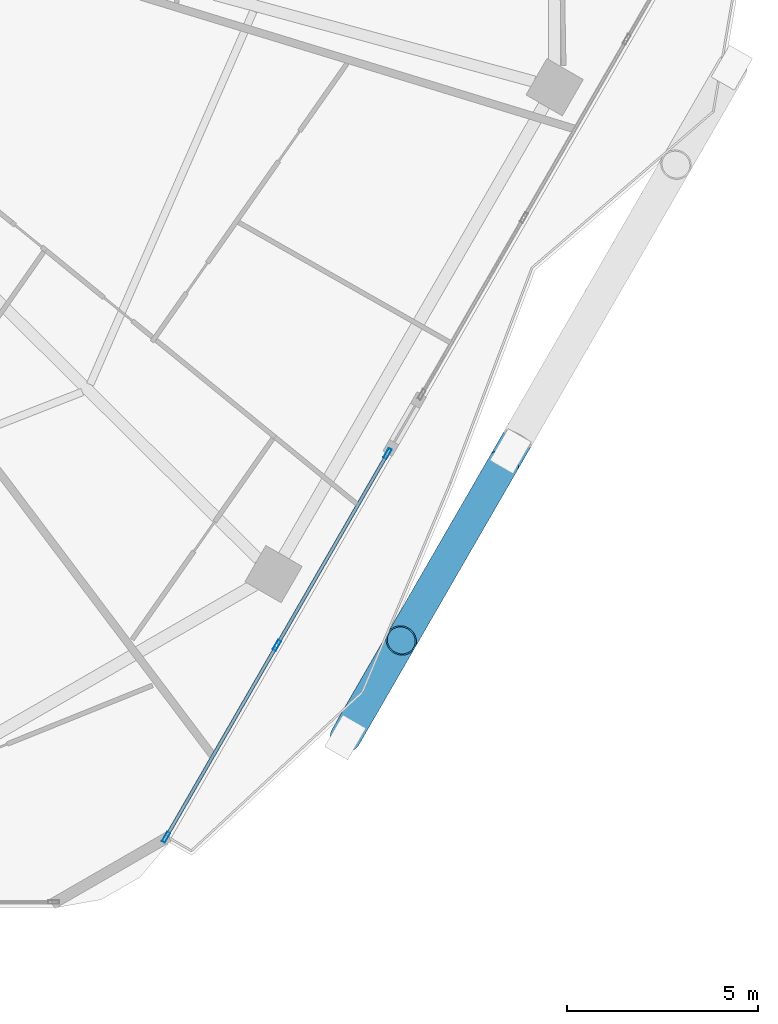
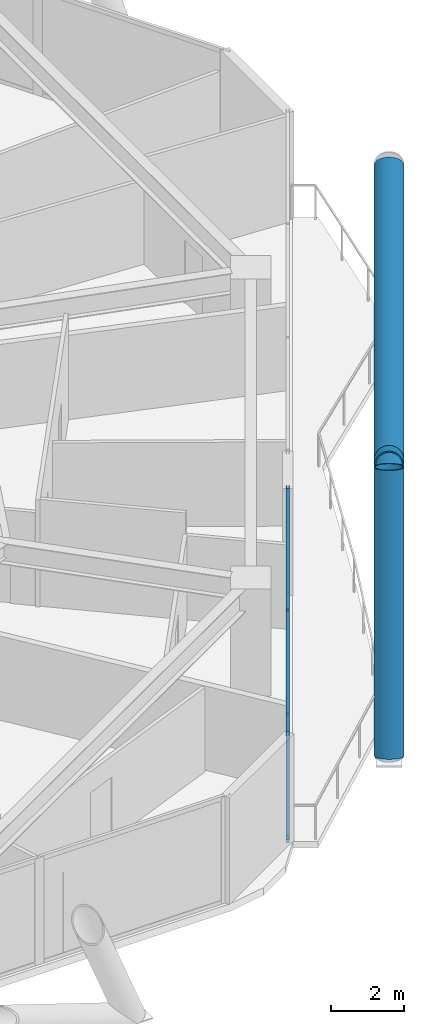
# One storey, part 10 of 36: 10 members, 1 element without a shape of its own.
"""IFC4 building model written with IfcOpenShell, lengths in metres."""

import ifcopenshell
import ifcopenshell.guid

model = None  # the IFC model being written
_history = None  # IfcOwnerHistory: only IFC2X3 demands one
_inside = {}  # id of a spatial element -> (the spatial element, [elements in it])
_under = {}  # id of a project, library or spatial element -> (it, [spatial elements below it])
_declared = {}  # id of a project -> (the project, [libraries it declares])
_typed = {}  # id of a type object -> (the type object, [elements of that type])
_made_of = {}  # id of a material, layer set ... -> (it, [elements and type objects made of it])


def new_model(schema):
    """Start an empty IFC model of exactly this schema.

    Asked for "IFC4X3", IfcOpenShell would pick the latest addendum, in which some entities
    have other attributes; the version numbers below select the first issue.
    IFC2X3 requires an IfcOwnerHistory on every rooted entity: one is made here for all.
    """
    global model, _history
    if schema == "IFC4X3":
        model = ifcopenshell.file(schema_version=(4, 3, 0, 0))
    else:
        model = ifcopenshell.file(schema=schema)
    _inside.clear()
    _under.clear()
    _declared.clear()
    _typed.clear()
    _made_of.clear()
    _history = None
    if model.schema == "IFC2X3":
        org = make("IfcOrganization", Name="unknown")
        user = make(
            "IfcPersonAndOrganization",
            ThePerson=make("IfcPerson", FamilyName="unknown"),
            TheOrganization=org,
        )
        app = make(
            "IfcApplication",
            ApplicationDeveloper=org,
            Version="unknown",
            ApplicationFullName="unknown",
            ApplicationIdentifier="unknown",
        )
        _history = make(
            "IfcOwnerHistory",
            OwningUser=user,
            OwningApplication=app,
            ChangeAction="ADDED",
            CreationDate=0,
        )
    return model


def make(cls, **values):
    """One entity of the class cls with the attributes given. An attribute that is None is left unset."""
    return model.create_entity(
        cls, **{name: value for name, value in values.items() if value is not None}
    )


def rooted(cls, **values):
    """An entity with a GlobalId (a new one), such as an element, a storey or a relation."""
    return make(cls, GlobalId=ifcopenshell.guid.new(), OwnerHistory=_history, **values)


def si_unit(unit_type, name, prefix=None):
    """IfcSIUnit, for example si_unit("LENGTHUNIT", "METRE", prefix="MILLI")."""
    return make("IfcSIUnit", UnitType=unit_type, Prefix=prefix, Name=name)


def assignment(units):
    """IfcUnitAssignment: the units of a project."""
    return None if units is None else make("IfcUnitAssignment", Units=units)


def point(xyz):
    """IfcCartesianPoint."""
    return None if xyz is None else make("IfcCartesianPoint", Coordinates=xyz)


def direction(xyz):
    """IfcDirection."""
    return None if xyz is None else make("IfcDirection", DirectionRatios=xyz)


def frame(location, z_axis=None, x_axis=None):
    """IfcAxis2Placement3D, a coordinate frame: its origin and axes. An axis left out is left unset."""
    return make(
        "IfcAxis2Placement3D",
        Location=point(location),
        Axis=direction(z_axis),
        RefDirection=direction(x_axis),
    )


def frame_2d(location, x_axis=None):
    """IfcAxis2Placement2D, a coordinate frame in the plane: its origin and x axis."""
    return make(
        "IfcAxis2Placement2D", Location=point(location), RefDirection=direction(x_axis)
    )


def origin():
    """The frame at (0, 0, 0) with its axes left unset."""
    return frame((0.0, 0.0, 0.0))


def origin_2d():
    """The frame at (0, 0) in the plane with its x axis left unset."""
    return frame_2d((0.0, 0.0))


def place(relative_to, where):
    """IfcLocalPlacement: puts the frame where relative to a parent placement (None: the world)."""
    return make(
        "IfcLocalPlacement", PlacementRelTo=relative_to, RelativePlacement=where
    )


def context(
    kind, dimensions, precision=None, world=None, true_north=None, identifier=None
):
    """IfcGeometricRepresentationContext, for example the 3D "Model" context."""
    return make(
        "IfcGeometricRepresentationContext",
        ContextIdentifier=identifier,
        ContextType=kind,
        CoordinateSpaceDimension=dimensions,
        Precision=precision,
        WorldCoordinateSystem=world,
        TrueNorth=true_north,
    )


def subcontext(parent, identifier, kind, view, scale=None):
    """IfcGeometricRepresentationSubContext, for example "Body" below "Model"."""
    return make(
        "IfcGeometricRepresentationSubContext",
        ContextIdentifier=identifier,
        ContextType=kind,
        ParentContext=parent,
        TargetScale=scale,
        TargetView=view,
    )


def project(units=None, contexts=None):
    """IfcProject with its units and contexts."""
    return rooted(
        "IfcProject",
        Name="project",
        RepresentationContexts=contexts,
        UnitsInContext=assignment(units),
    )


def spatial(cls, under=None, at=None, **own):
    """A site, building, storey or space (cls), placed at a placement, below another one or the project."""
    s = rooted(cls, ObjectPlacement=at, **own)
    if under is not None:
        _under.setdefault(under.id(), (under, []))[1].append(s)
    return s


def profile(cls, at=None, kind="AREA", **sizes):
    """A parametric profile (cls). Its sizes go by their IFC names, for example OverallWidth=200.0."""
    return make(cls, ProfileType=kind, Position=at, **sizes)


def hollow_rectangle(**sizes):
    """IfcRectangleHollowProfileDef."""
    return profile("IfcRectangleHollowProfileDef", **sizes)


def hollow_circle(**sizes):
    """IfcCircleHollowProfileDef."""
    return profile("IfcCircleHollowProfileDef", **sizes)


def extrude(swept, where, along, depth):
    """IfcExtrudedAreaSolid: the profile swept, set in the frame where, extruded along a direction by depth."""
    return make(
        "IfcExtrudedAreaSolid",
        SweptArea=swept,
        Position=where,
        ExtrudedDirection=direction(along),
        Depth=depth,
    )


def shape(context_of_items, identifier, shape_type, items):
    """IfcShapeRepresentation: the items that make up one representation, for example the "Body"."""
    return make(
        "IfcShapeRepresentation",
        ContextOfItems=context_of_items,
        RepresentationIdentifier=identifier,
        RepresentationType=shape_type,
        Items=items,
    )


def material(Name=None, Category=None):
    """IfcMaterial."""
    return make("IfcMaterial", Name=Name, Category=Category)


def material_profile(
    of_material, cross_section, Name=None, Category=None, Priority=None
):
    """IfcMaterialProfile: a cross section and its material."""
    return make(
        "IfcMaterialProfile",
        Name=Name,
        Material=of_material,
        Profile=cross_section,
        Priority=Priority,
        Category=Category,
    )


def profile_set(profiles, Name=None, composite=None):
    """IfcMaterialProfileSet."""
    return make(
        "IfcMaterialProfileSet",
        Name=Name,
        MaterialProfiles=profiles,
        CompositeProfile=composite,
    )


def made_of(thing, what):
    """Note that an element or type object is made of a material, layer set ...; save() writes the relation."""
    if what is not None:
        _made_of.setdefault(what.id(), (what, []))[1].append(thing)
    return thing


def type_object(cls, material=None, **own):
    """A type object (cls), such as IfcWallType, which elements share."""
    return made_of(rooted(cls, **own), material)


def element(
    cls,
    number,
    at=None,
    inside=None,
    cuts=None,
    type_object=None,
    material=None,
    context=None,
    identifier="Body",
    shape_type=None,
    held_by="IfcProductDefinitionShape",
    body=None,
    shapes=None,
    **own,
):
    """One element of the class cls, such as IfcWall. Its Tag is "e" and its number.

    at: its placement. inside: the storey or other place that contains it. cuts: it is an
    opening in that element (IfcRelVoidsElement). A single representation is given by context,
    identifier, shape_type and body (its items); several are given by shapes. held_by: the class
    of the entity that holds the representations. save() writes the other relations.
    """
    e = rooted(cls, Tag="e%d" % number, ObjectPlacement=at, **own)
    if body is not None:
        shapes = [shape(context, identifier, shape_type, body)]
    if shapes is not None:
        e.Representation = make(held_by, Representations=shapes)
    if inside is not None:
        _inside.setdefault(inside.id(), (inside, []))[1].append(e)
    if cuts is not None:
        rooted(
            "IfcRelVoidsElement", RelatingBuildingElement=cuts, RelatedOpeningElement=e
        )
    if type_object is not None:
        _typed.setdefault(type_object.id(), (type_object, []))[1].append(e)
    return made_of(e, material)


def aggregate(whole, parts):
    """IfcRelAggregates: a whole, such as a stair, and the parts it consists of."""
    return rooted("IfcRelAggregates", RelatingObject=whole, RelatedObjects=parts)


def save(model, path):
    """Write the relations noted so far, then the file.

    IfcRelAggregates (storeys below a building ...), IfcRelContainedInSpatialStructure (elements
    in a storey), IfcRelDefinesByType, IfcRelAssociatesMaterial and IfcRelDeclares: one each for
    every whole, place, type object, material and project.
    """
    for whole, parts in _under.values():
        aggregate(whole, parts)
    for where, things in _inside.values():
        rooted(
            "IfcRelContainedInSpatialStructure",
            RelatedElements=things,
            RelatingStructure=where,
        )
    for kind, things in _typed.values():
        rooted("IfcRelDefinesByType", RelatedObjects=things, RelatingType=kind)
    for what, things in _made_of.values():
        rooted("IfcRelAssociatesMaterial", RelatedObjects=things, RelatingMaterial=what)
    for by, libraries in _declared.values():
        rooted("IfcRelDeclares", RelatingContext=by, RelatedDefinitions=libraries)
    model.write(path)


model = new_model("IFC4")

# Units and contexts
model_context = context("Model", 3, precision=1e-05, world=origin(), true_north=direction((0.0, 1.0)))
body_context = subcontext(model_context, "Body", "Model", "MODEL_VIEW")
ifc_project = project(units=[si_unit("LENGTHUNIT", "METRE"), si_unit("AREAUNIT", "SQUARE_METRE"), si_unit("VOLUMEUNIT", "CUBIC_METRE"), si_unit("PLANEANGLEUNIT", "RADIAN"), si_unit("MASSUNIT", "GRAM", prefix="KILO")], contexts=[model_context])

# Site, building, storey
site_placement = place(None, origin())
site = spatial("IfcSite", under=ifc_project, at=site_placement, CompositionType="ELEMENT")
building_placement = place(site_placement, origin())
building = spatial("IfcBuilding", under=site, at=building_placement, Name="Zuhravey Tower", CompositionType="ELEMENT")
storey_placement = place(building_placement, frame((0.0, 0.0, 107.60009765625)))
storey = spatial("IfcBuildingStorey", under=building, at=storey_placement, Name="L26", CompositionType="ELEMENT", Elevation=107.60009765625)

# Curtain wall, members
ifc_material_1 = material(Name="Thermally broken anodised aluminium", Category="aluminium")
curtain_wall_type = type_object("IfcCurtainWallType", Name="Zone 1-2 Residential Curtain Wall CW3", PredefinedType="NOTDEFINED", material=ifc_material_1)
curtain_wall_placement = place(storey_placement, origin())
curtain_wall = element("IfcCurtainWall", 1, at=curtain_wall_placement, inside=storey, type_object=curtain_wall_type, Name="L26 CW3 CW-L26-F6-2", PredefinedType="NOTDEFINED")
ifc_material_2 = material(Name="Anodised aluminium", Category="aluminium")
ifc_material_profile_1 = material_profile(ifc_material_2, hollow_rectangle(XDim=0.090087890625, YDim=0.284912109375, WallThickness=0.0048828125, at=origin_2d()), Name="ALU-RHS-90x285x5")
ifc_profile_set_1 = profile_set([ifc_material_profile_1], Name="Anodised aluminium")
member_type_1 = type_object("IfcMemberType", Name="Curtain-Wall Mullion 90x180", PredefinedType="MULLION", material=ifc_profile_set_1)
member_1_placement = place(storey_placement, frame((59.509765625, 14.80322265625, 0.0), z_axis=(0.0, 0.0, 1.0), x_axis=(0.866022990761, -0.500004179456, 0.0)))
member_1 = element("IfcMember", 2, at=member_1_placement, type_object=member_type_1, Name="CW3 mullion 1", PredefinedType="MULLION", context=body_context, shape_type="SweptSolid", body=[
    extrude(hollow_rectangle(XDim=0.090087890625, YDim=0.284912109375, WallThickness=0.0048828125, at=origin_2d()), origin(), (0.0, 0.0, 1.0), 3.5498046875),
])
member_2_placement = place(storey_placement, frame((56.605712890625, 9.77294921875, 0.0), z_axis=(0.0, 0.0, 1.0), x_axis=(0.866022990761, -0.500004179456, 0.0)))
member_2 = element("IfcMember", 3, at=member_2_placement, type_object=member_type_1, Name="CW3 mullion 2", PredefinedType="MULLION", context=body_context, shape_type="SweptSolid", body=[
    extrude(hollow_rectangle(XDim=0.090087890625, YDim=0.284912109375, WallThickness=0.0048828125, at=origin_2d()), origin(), (0.0, 0.0, 1.0), 3.5498046875),
])
member_3_placement = place(storey_placement, frame((53.701416015625, 4.742919921875, 0.0), z_axis=(0.0, 0.0, 1.0), x_axis=(0.866022990761, -0.500004179456, 0.0)))
member_3 = element("IfcMember", 4, at=member_3_placement, type_object=member_type_1, Name="CW3 mullion 3", PredefinedType="MULLION", context=body_context, shape_type="SweptSolid", body=[
    extrude(hollow_rectangle(XDim=0.090087890625, YDim=0.284912109375, WallThickness=0.0048828125, at=origin_2d()), origin(), (0.0, 0.0, 1.0), 3.5498046875),
])
ifc_material_profile_2 = material_profile(ifc_material_2, hollow_rectangle(XDim=0.090087890625, YDim=0.14990234375, WallThickness=0.0048828125, at=origin_2d()), Name="ALU-RHS-90x150x5")
ifc_profile_set_2 = profile_set([ifc_material_profile_2], Name="Anodised aluminium")
member_type_2 = type_object("IfcMemberType", Name="Curtain-Wall Transom 90x150", PredefinedType="USERDEFINED", material=ifc_profile_set_2)
member_4_placement = place(storey_placement, frame((59.4873046875, 14.76416015625, 0.044921875), z_axis=(-0.500000869048, -0.866024902039, 0.0), x_axis=(0.866024902039, -0.500000869048, 0.0)))
member_4 = element("IfcMember", 5, at=member_4_placement, type_object=member_type_2, Name="CW3 transom 1.1", ObjectType="TRANSOM", PredefinedType="USERDEFINED", context=body_context, shape_type="SweptSolid", body=[
    extrude(hollow_rectangle(XDim=0.090087890625, YDim=0.14990234375, WallThickness=0.0048828125, at=origin_2d()), origin(), (0.0, 0.0, 1.0), 5.71826171875),
])
member_5_placement = place(storey_placement, frame((59.4873046875, 14.76416015625, 3.5048828125), z_axis=(-0.500000869048, -0.866024902039, 0.0), x_axis=(0.866024902039, -0.500000869048, 0.0)))
member_5 = element("IfcMember", 6, at=member_5_placement, type_object=member_type_2, Name="CW3 transom 1.2", ObjectType="TRANSOM", PredefinedType="USERDEFINED", context=body_context, shape_type="SweptSolid", body=[
    extrude(hollow_rectangle(XDim=0.090087890625, YDim=0.14990234375, WallThickness=0.0048828125, at=origin_2d()), origin(), (0.0, 0.0, 1.0), 5.71826171875),
])
member_6_placement = place(storey_placement, frame((56.583251953125, 9.734130859375, 0.044921875), z_axis=(-0.500000869048, -0.866024902039, 0.0), x_axis=(0.866024902039, -0.500000869048, 0.0)))
member_6 = element("IfcMember", 7, at=member_6_placement, type_object=member_type_2, Name="CW3 transom 2.1", ObjectType="TRANSOM", PredefinedType="USERDEFINED", context=body_context, shape_type="SweptSolid", body=[
    extrude(hollow_rectangle(XDim=0.090087890625, YDim=0.14990234375, WallThickness=0.0048828125, at=origin_2d()), origin(), (0.0, 0.0, 1.0), 5.71826171875),
])
member_7_placement = place(storey_placement, frame((56.583251953125, 9.734130859375, 3.5048828125), z_axis=(-0.500000869048, -0.866024902039, 0.0), x_axis=(0.866024902039, -0.500000869048, 0.0)))
member_7 = element("IfcMember", 8, at=member_7_placement, type_object=member_type_2, Name="CW3 transom 2.2", ObjectType="TRANSOM", PredefinedType="USERDEFINED", context=body_context, shape_type="SweptSolid", body=[
    extrude(hollow_rectangle(XDim=0.090087890625, YDim=0.14990234375, WallThickness=0.0048828125, at=origin_2d()), origin(), (0.0, 0.0, 1.0), 5.71826171875),
])
aggregate(curtain_wall, [member_1, member_2, member_3, member_4, member_5, member_6, member_7])

# Members
ifc_material_3 = material(Name="Steel SM460", Category="steel")
ifc_material_profile_3 = material_profile(ifc_material_3, hollow_circle(Radius=0.406494140625, WallThickness=0.035888671875, at=origin_2d()), Name="CHS-812.8x36")
ifc_profile_set_3 = profile_set([ifc_material_profile_3], Name="Steel SM460")
member_type_3 = type_object("IfcMemberType", Name="Exoskeleton Zone 1 Diagrid CHS813x36", PredefinedType="BRACE", material=ifc_profile_set_3)
member_8_placement = place(storey_placement, frame((58.40478515625, 7.369384765625, -0.442138671875), z_axis=(0.180569214941, 0.312719486379, 0.932524145239), x_axis=(-0.866000778371, 0.500042650041, 0.0)))
element("IfcMember", 9, at=member_8_placement, inside=storey, type_object=member_type_3, Name="L26 Face 6 Diagrid Brace 1", PredefinedType="BRACE", context=body_context, shape_type="SweptSolid", body=[
    extrude(hollow_circle(Radius=0.406494140625, WallThickness=0.035888671875, at=origin_2d()), origin(), (0.0, 0.0, 1.0), 8.102783203125),
])
member_9_placement = place(storey_placement, frame((58.42578125, 7.405517578125, -0.442138671875), z_axis=(0.457897185127, 0.793115763737, 0.401618666355), x_axis=(-0.866029382339, 0.499993108878, 0.0)))
element("IfcMember", 10, at=member_9_placement, inside=storey, type_object=member_type_3, Name="L26 Face 6 Diagrid Brace 2", PredefinedType="BRACE", context=body_context, shape_type="SweptSolid", body=[
    extrude(hollow_circle(Radius=0.406494140625, WallThickness=0.035888671875, at=origin_2d()), origin(), (0.0, 0.0, 1.0), 18.814208984375),
])
member_10_placement = place(storey_placement, frame((62.568115234375, 14.580322265625, 3.55517578125), z_axis=(-0.416504317817, -0.72143614827, 0.553221508267), x_axis=(0.866034259299, -0.499984661485, 0.0)))
element("IfcMember", 11, at=member_10_placement, inside=storey, type_object=member_type_3, Name="L26 Face 6 Split Diagrid Brace 3B", PredefinedType="BRACE", context=body_context, shape_type="SweptSolid", body=[
    extrude(hollow_circle(Radius=0.406494140625, WallThickness=0.035888671875, at=origin_2d()), origin(), (0.0, 0.0, 1.0), 6.41796875),
])

save(model, "model.ifc")
